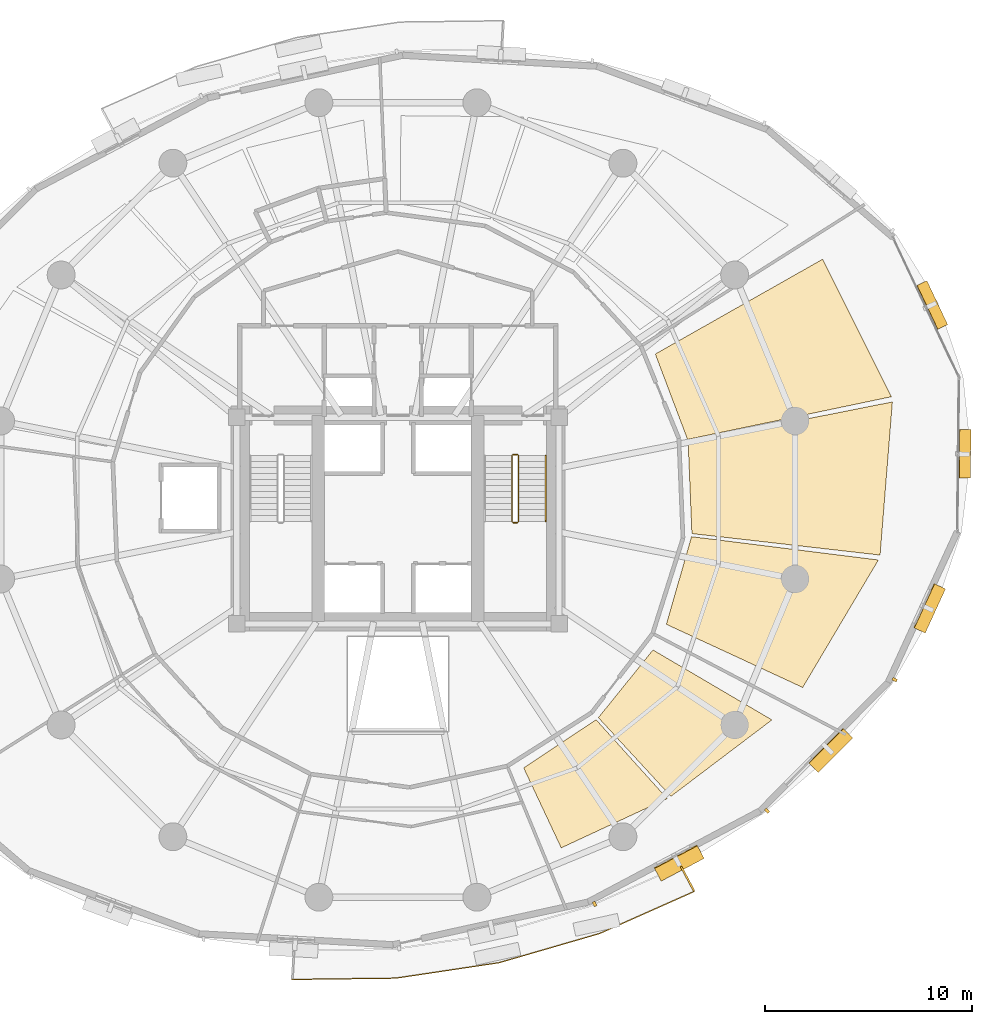
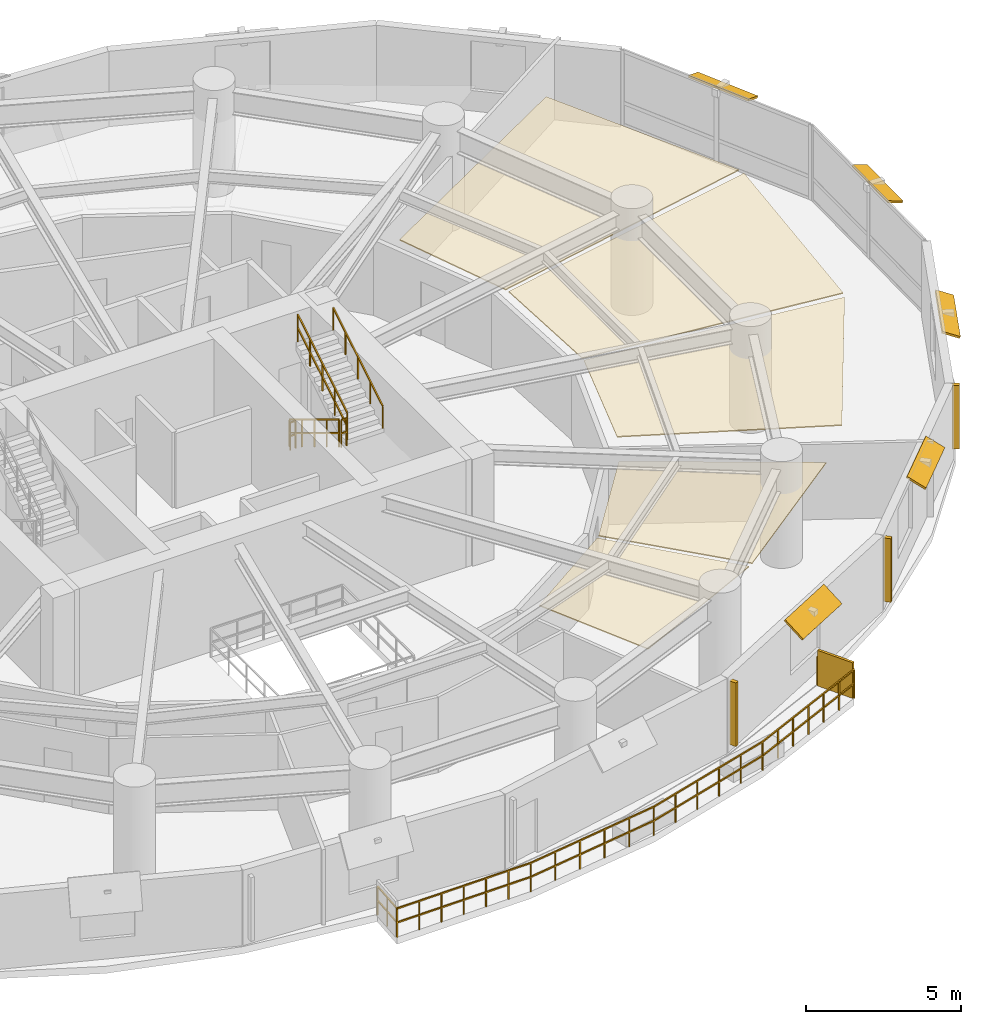
# One storey, part 16 of 17: 9 shading devices, 6 railings, 5 coverings.
"""IFC4 building model written with IfcOpenShell, lengths in metres."""

from ifc_helpers import new_model, si_unit, direction, frame, origin, origin_2d, place, context, subcontext, project, spatial, polyline, rectangle, outline, extrude, material, layer, layer_set, type_object, element, save


model = new_model("IFC4")

# Units and contexts
model_context = context("Model", 3, precision=1e-05, world=origin(), true_north=direction((0.0, 1.0)))
body_context = subcontext(model_context, "Body", "Model", "MODEL_VIEW")
ifc_project = project(units=[si_unit("LENGTHUNIT", "METRE"), si_unit("AREAUNIT", "SQUARE_METRE"), si_unit("VOLUMEUNIT", "CUBIC_METRE"), si_unit("PLANEANGLEUNIT", "RADIAN"), si_unit("MASSUNIT", "GRAM", prefix="KILO"), si_unit("THERMODYNAMICTEMPERATUREUNIT", "KELVIN"), si_unit("POWERUNIT", "WATT")], contexts=[model_context])

# Site, building, storey
site_placement = place(None, origin())
site = spatial("IfcSite", under=ifc_project, at=site_placement, CompositionType="ELEMENT")
building_placement = place(site_placement, origin())
building = spatial("IfcBuilding", under=site, at=building_placement, Name="Ocrelia Relay Tower", CompositionType="ELEMENT")
storey_placement = place(building_placement, frame((0.0, 0.0, 84.60009765625)))
storey = spatial("IfcBuildingStorey", under=building, at=storey_placement, Name="L19", CompositionType="ELEMENT", Elevation=84.60009765625)

# Coverings
ifc_material_1 = material(Name="Mineral-fiber acoustic ceiling tile", Category="gypsum")
ifc_layer_1 = layer(ifc_material_1, 0.0400390625, Name="Mineral-fiber acoustic ceiling tile")
ifc_layer_set_1 = layer_set([ifc_layer_1], Name="Mineral-fiber acoustic ceiling tile")
covering_type_1 = type_object("IfcCoveringType", Name="COV-CEIL-ACOUSTIC", PredefinedType="CEILING", material=ifc_layer_set_1)
covering_1_placement = place(storey_placement, frame((0.0, 0.0, 2.8798828125)))
element("IfcCovering", 1, at=covering_1_placement, inside=storey, type_object=covering_type_1, Name="L19 Staff Wellness Room Suspended Ceiling 1", PredefinedType="CEILING", context=body_context, shape_type="SweptSolid", body=[
    extrude(outline(polyline([(46.994140625, 19.982177734375), (53.5908203125, 16.927001953125), (57.25244140625, 23.096923828125), (48.209716796875, 24.225830078125), (46.994140625, 19.982177734375)])), origin(), (0.0, 0.0, 1.0), 0.0400390625),
])
covering_2_placement = place(storey_placement, frame((0.0, 0.0, 2.8798828125)))
element("IfcCovering", 2, at=covering_2_placement, inside=storey, type_object=covering_type_1, Name="L19 Staff Wellness Room Suspended Ceiling 2", PredefinedType="CEILING", context=body_context, shape_type="SweptSolid", body=[
    extrude(outline(polyline([(48.2275390625, 24.374755859375), (57.334716796875, 23.33447265625), (57.930419921875, 30.74560546875), (48.04638671875, 28.785400390625), (48.2275390625, 24.374755859375)])), origin(), (0.0, 0.0, 1.0), 0.0400390625),
])
covering_3_placement = place(storey_placement, frame((0.0, 0.0, 2.8798828125)))
element("IfcCovering", 3, at=covering_3_placement, inside=storey, type_object=covering_type_1, Name="L19 Staff Wellness Room Suspended Ceiling 3", PredefinedType="CEILING", context=body_context, shape_type="SweptSolid", body=[
    extrude(outline(polyline([(48.0166015625, 28.9326171875), (57.882080078125, 30.99658203125), (54.555419921875, 37.6533203125), (46.457275390625, 33.0625), (48.0166015625, 28.9326171875)])), origin(), (0.0, 0.0, 1.0), 0.0400390625),
])
ifc_material_2 = material(Name="Cleanroom metal-pan acoustic ceiling", Category="aluminium")
ifc_layer_2 = layer(ifc_material_2, 0.0400390625, Name="Cleanroom metal-pan acoustic ceiling")
ifc_layer_set_2 = layer_set([ifc_layer_2], Name="Cleanroom metal-pan acoustic ceiling")
covering_type_2 = type_object("IfcCoveringType", Name="COV-CEIL-CLEAN", PredefinedType="CEILING", material=ifc_layer_set_2)
covering_4_placement = place(storey_placement, frame((0.0, 0.0, 2.8798828125)))
element("IfcCovering", 4, at=covering_4_placement, inside=storey, type_object=covering_type_2, Name="L19 Colocation Data Hall A Suspended Ceiling 1", PredefinedType="CEILING", context=body_context, shape_type="SweptSolid", body=[
    extrude(outline(polyline([(40.085693359375, 13.03759765625), (41.90380859375, 9.165283203125), (47.033203125, 11.550537109375), (43.59130859375, 15.366455078125), (40.085693359375, 13.03759765625)])), origin(), (0.0, 0.0, 1.0), 0.0400390625),
])
covering_5_placement = place(storey_placement, frame((0.0, 0.0, 2.8798828125)))
element("IfcCovering", 5, at=covering_5_placement, inside=storey, type_object=covering_type_2, Name="L19 Colocation Data Hall A Suspended Ceiling 2", PredefinedType="CEILING", context=body_context, shape_type="SweptSolid", body=[
    extrude(outline(polyline([(43.7021484375, 15.467529296875), (47.212890625, 11.656494140625), (52.1025390625, 15.35791015625), (46.344970703125, 18.742919921875), (43.7021484375, 15.467529296875)])), origin(), (0.0, 0.0, 1.0), 0.0400390625),
])

# Railings
ifc_material_3 = material(Name="Steel S355 balustrade", Category="steel")
railing_type_1 = type_object("IfcRailingType", Name="RL-EXT-GUARD-1150", PredefinedType="GUARDRAIL", material=ifc_material_3)
railing_1_placement = place(storey_placement, frame((47.690185546875, 8.285888671875, 0.0)))
element("IfcRailing", 6, at=railing_1_placement, inside=storey, type_object=railing_type_1, Name="L19 Loggia Balcony Guard Rail B2", PredefinedType="GUARDRAIL", context=body_context, shape_type="SweptSolid", body=[
    extrude(rectangle(XDim=0.048095703125, YDim=0.048095703125, at=origin_2d()), frame((0.0, 0.0, 1.1259765625), z_axis=(0.46970594774, -0.882822928258, 0.0), x_axis=(0.882822928258, 0.46970594774, 0.0)), (0.0, 0.0, 1.0), 1.3935546875),
    extrude(rectangle(XDim=0.048095703125, YDim=0.048095703125, at=origin_2d()), frame((0.0, 0.0, 0.574951171875), z_axis=(0.46970594774, -0.882822928258, 0.0), x_axis=(0.882822928258, 0.46970594774, 0.0)), (0.0, 0.0, 1.0), 1.3935546875),
    extrude(rectangle(XDim=0.048095703125, YDim=0.048095703125, at=origin_2d()), frame((0.654541015625, -1.230224609375, 1.1259765625), z_axis=(-0.913690938827, -0.40640972959, 0.0), x_axis=(0.40640972959, -0.913690938827, 0.0)), (0.0, 0.0, 1.0), 2.505126953125),
    extrude(rectangle(XDim=0.048095703125, YDim=0.048095703125, at=origin_2d()), frame((0.654541015625, -1.230224609375, 0.574951171875), z_axis=(-0.913690938827, -0.40640972959, 0.0), x_axis=(0.40640972959, -0.913690938827, 0.0)), (0.0, 0.0, 1.0), 2.505126953125),
    extrude(rectangle(XDim=0.048095703125, YDim=0.048095703125, at=origin_2d()), frame((-1.63427734375, -2.248291015625, 1.1259765625), z_axis=(-0.913727126877, -0.406328361808, 0.0), x_axis=(0.406328361808, -0.913727126877, 0.0)), (0.0, 0.0, 1.0), 2.5048828125),
    extrude(rectangle(XDim=0.048095703125, YDim=0.048095703125, at=origin_2d()), frame((-1.63427734375, -2.248291015625, 0.574951171875), z_axis=(-0.913727126877, -0.406328361808, 0.0), x_axis=(0.406328361808, -0.913727126877, 0.0)), (0.0, 0.0, 1.0), 2.5048828125),
    extrude(rectangle(XDim=0.048095703125, YDim=0.048095703125, at=origin_2d()), frame((-3.923095703125, -3.26611328125, 1.1259765625), z_axis=(-0.960325408585, -0.278881891893, 0.0), x_axis=(0.278881891893, -0.960325408585, 0.0)), (0.0, 0.0, 1.0), 5.065185546875),
    extrude(rectangle(XDim=0.048095703125, YDim=0.048095703125, at=origin_2d()), frame((-3.923095703125, -3.26611328125, 0.574951171875), z_axis=(-0.960325408585, -0.278881891893, 0.0), x_axis=(0.278881891893, -0.960325408585, 0.0)), (0.0, 0.0, 1.0), 5.065185546875),
    extrude(rectangle(XDim=0.048095703125, YDim=0.048095703125, at=origin_2d()), frame((-8.787353515625, -4.6787109375, 1.1259765625), z_axis=(-0.988997786574, -0.147930315186, 0.0), x_axis=(0.147930315186, -0.988997786574, 0.0)), (0.0, 0.0, 1.0), 5.06494140625),
    extrude(rectangle(XDim=0.048095703125, YDim=0.048095703125, at=origin_2d()), frame((-8.787353515625, -4.6787109375, 0.574951171875), z_axis=(-0.988997786574, -0.147930315186, 0.0), x_axis=(0.147930315186, -0.988997786574, 0.0)), (0.0, 0.0, 1.0), 5.06494140625),
    extrude(rectangle(XDim=0.048095703125, YDim=0.048095703125, at=origin_2d()), frame((-13.796630859375, -5.427978515625, 1.1259765625), z_axis=(-0.999920967956, -0.012572105737, 0.0), x_axis=(0.012572105737, -0.999920967956, 0.0)), (0.0, 0.0, 1.0), 2.505126953125),
    extrude(rectangle(XDim=0.048095703125, YDim=0.048095703125, at=origin_2d()), frame((-13.796630859375, -5.427978515625, 0.574951171875), z_axis=(-0.999920967956, -0.012572105737, 0.0), x_axis=(0.012572105737, -0.999920967956, 0.0)), (0.0, 0.0, 1.0), 2.505126953125),
    extrude(rectangle(XDim=0.048095703125, YDim=0.048095703125, at=origin_2d()), frame((-16.301513671875, -5.45947265625, 1.1259765625), z_axis=(-0.999919738051, -0.012669548338, 0.0), x_axis=(0.012669548338, -0.999919738051, 0.0)), (0.0, 0.0, 1.0), 2.505126953125),
    extrude(rectangle(XDim=0.048095703125, YDim=0.048095703125, at=origin_2d()), frame((-16.301513671875, -5.45947265625, 0.574951171875), z_axis=(-0.999919738051, -0.012669548338, 0.0), x_axis=(0.012669548338, -0.999919738051, 0.0)), (0.0, 0.0, 1.0), 2.505126953125),
    extrude(rectangle(XDim=0.048095703125, YDim=0.048095703125, at=origin_2d()), frame((-18.806396484375, -5.4912109375, 1.1259765625), z_axis=(0.057992791786, 0.998317001809, 0.0), x_axis=(-0.998317001809, 0.057992791786, 0.0)), (0.0, 0.0, 1.0), 1.3935546875),
    extrude(rectangle(XDim=0.048095703125, YDim=0.048095703125, at=origin_2d()), frame((-18.806396484375, -5.4912109375, 0.574951171875), z_axis=(0.057992791786, 0.998317001809, 0.0), x_axis=(-0.998317001809, 0.057992791786, 0.0)), (0.0, 0.0, 1.0), 1.3935546875),
    extrude(rectangle(XDim=0.0419921875, YDim=0.0419921875, at=origin_2d()), origin(), (0.0, 0.0, 1.0), 1.101806640625),
    extrude(rectangle(XDim=0.0419921875, YDim=0.0419921875, at=origin_2d()), frame((0.3271484375, -0.615234375, 0.0)), (0.0, 0.0, 1.0), 1.101806640625),
    extrude(rectangle(XDim=0.0419921875, YDim=0.0419921875, at=origin_2d()), frame((0.654541015625, -1.230224609375, 0.0)), (0.0, 0.0, 1.0), 1.101806640625),
    extrude(rectangle(XDim=0.0419921875, YDim=0.0419921875, at=origin_2d()), frame((-0.1083984375, -1.569580078125, 0.0)), (0.0, 0.0, 1.0), 1.101806640625),
    extrude(rectangle(XDim=0.0419921875, YDim=0.0419921875, at=origin_2d()), frame((-0.871337890625, -1.908935546875, 0.0)), (0.0, 0.0, 1.0), 1.101806640625),
    extrude(rectangle(XDim=0.0419921875, YDim=0.0419921875, at=origin_2d()), frame((-1.63427734375, -2.248291015625, 0.0)), (0.0, 0.0, 1.0), 1.101806640625),
    extrude(rectangle(XDim=0.0419921875, YDim=0.0419921875, at=origin_2d()), frame((-2.397216796875, -2.587646484375, 0.0)), (0.0, 0.0, 1.0), 1.101806640625),
    extrude(rectangle(XDim=0.0419921875, YDim=0.0419921875, at=origin_2d()), frame((-3.16015625, -2.9267578125, 0.0)), (0.0, 0.0, 1.0), 1.101806640625),
    extrude(rectangle(XDim=0.0419921875, YDim=0.0419921875, at=origin_2d()), frame((-3.923095703125, -3.26611328125, 0.0)), (0.0, 0.0, 1.0), 1.101806640625),
    extrude(rectangle(XDim=0.0419921875, YDim=0.0419921875, at=origin_2d()), frame((-4.89599609375, -3.548583984375, 0.0)), (0.0, 0.0, 1.0), 1.101806640625),
    extrude(rectangle(XDim=0.0419921875, YDim=0.0419921875, at=origin_2d()), frame((-5.868896484375, -3.8310546875, 0.0)), (0.0, 0.0, 1.0), 1.101806640625),
    extrude(rectangle(XDim=0.0419921875, YDim=0.0419921875, at=origin_2d()), frame((-6.841552734375, -4.11376953125, 0.0)), (0.0, 0.0, 1.0), 1.101806640625),
    extrude(rectangle(XDim=0.0419921875, YDim=0.0419921875, at=origin_2d()), frame((-7.814453125, -4.396240234375, 0.0)), (0.0, 0.0, 1.0), 1.101806640625),
    extrude(rectangle(XDim=0.0419921875, YDim=0.0419921875, at=origin_2d()), frame((-8.787353515625, -4.6787109375, 0.0)), (0.0, 0.0, 1.0), 1.101806640625),
    extrude(rectangle(XDim=0.0419921875, YDim=0.0419921875, at=origin_2d()), frame((-9.789306640625, -4.82861328125, 0.0)), (0.0, 0.0, 1.0), 1.101806640625),
    extrude(rectangle(XDim=0.0419921875, YDim=0.0419921875, at=origin_2d()), frame((-10.791015625, -4.978515625, 0.0)), (0.0, 0.0, 1.0), 1.101806640625),
    extrude(rectangle(XDim=0.0419921875, YDim=0.0419921875, at=origin_2d()), frame((-11.79296875, -5.128173828125, 0.0)), (0.0, 0.0, 1.0), 1.101806640625),
    extrude(rectangle(XDim=0.0419921875, YDim=0.0419921875, at=origin_2d()), frame((-12.794677734375, -5.278076171875, 0.0)), (0.0, 0.0, 1.0), 1.101806640625),
    extrude(rectangle(XDim=0.0419921875, YDim=0.0419921875, at=origin_2d()), frame((-13.796630859375, -5.427978515625, 0.0)), (0.0, 0.0, 1.0), 1.101806640625),
    extrude(rectangle(XDim=0.0419921875, YDim=0.0419921875, at=origin_2d()), frame((-14.631591796875, -5.4384765625, 0.0)), (0.0, 0.0, 1.0), 1.101806640625),
    extrude(rectangle(XDim=0.0419921875, YDim=0.0419921875, at=origin_2d()), frame((-15.466552734375, -5.448974609375, 0.0)), (0.0, 0.0, 1.0), 1.101806640625),
    extrude(rectangle(XDim=0.0419921875, YDim=0.0419921875, at=origin_2d()), frame((-16.301513671875, -5.45947265625, 0.0)), (0.0, 0.0, 1.0), 1.101806640625),
    extrude(rectangle(XDim=0.0419921875, YDim=0.0419921875, at=origin_2d()), frame((-17.136474609375, -5.469970703125, 0.0)), (0.0, 0.0, 1.0), 1.101806640625),
    extrude(rectangle(XDim=0.0419921875, YDim=0.0419921875, at=origin_2d()), frame((-17.971435546875, -5.480712890625, 0.0)), (0.0, 0.0, 1.0), 1.101806640625),
    extrude(rectangle(XDim=0.0419921875, YDim=0.0419921875, at=origin_2d()), frame((-18.806396484375, -5.4912109375, 0.0)), (0.0, 0.0, 1.0), 1.101806640625),
    extrude(rectangle(XDim=0.0419921875, YDim=0.0419921875, at=origin_2d()), frame((-18.76611328125, -4.795654296875, 0.0)), (0.0, 0.0, 1.0), 1.101806640625),
    extrude(rectangle(XDim=0.0419921875, YDim=0.0419921875, at=origin_2d()), frame((-18.7255859375, -4.10009765625, 0.0)), (0.0, 0.0, 1.0), 1.101806640625),
])
railing_type_2 = type_object("IfcRailingType", Name="RL-STAIR-GUARD", PredefinedType="GUARDRAIL", material=ifc_material_3)
railing_2_placement = place(storey_placement, frame((39.530029296875, 28.14990234375, 0.1748046875)))
element("IfcRailing", 7, at=railing_2_placement, inside=storey, type_object=railing_type_2, Name="L19 ST2 stair guard 1", PredefinedType="GUARDRAIL", context=body_context, shape_type="SweptSolid", body=[
    extrude(rectangle(XDim=0.048095703125, YDim=0.048095703125, at=origin_2d()), frame((0.0, 0.0, 1.076171875), z_axis=(0.0, -0.856177665481, 0.516681531633), x_axis=(1.0, 0.0, 0.0)), (0.0, 0.0, 1.0), 3.725830078125),
    extrude(rectangle(XDim=0.048095703125, YDim=0.048095703125, at=origin_2d()), frame((0.0, 0.0, 0.550048828125), z_axis=(0.0, -0.856177665481, 0.516681531633), x_axis=(1.0, 0.0, 0.0)), (0.0, 0.0, 1.0), 3.725830078125),
    extrude(rectangle(XDim=0.0419921875, YDim=0.0419921875, at=origin_2d()), origin(), (0.0, 0.0, 1.0), 1.052001953125),
    extrude(rectangle(XDim=0.0419921875, YDim=0.0419921875, at=origin_2d()), frame((0.0, -0.79736328125, 0.481201171875)), (0.0, 0.0, 1.0), 1.052001953125),
    extrude(rectangle(XDim=0.0419921875, YDim=0.0419921875, at=origin_2d()), frame((0.0, -1.594970703125, 0.96240234375)), (0.0, 0.0, 1.0), 1.052001953125),
    extrude(rectangle(XDim=0.0419921875, YDim=0.0419921875, at=origin_2d()), frame((0.0, -2.392578125, 1.44384765625)), (0.0, 0.0, 1.0), 1.052001953125),
    extrude(rectangle(XDim=0.0419921875, YDim=0.0419921875, at=origin_2d()), frame((0.0, -3.18994140625, 1.925048828125)), (0.0, 0.0, 1.0), 1.052001953125),
])
railing_3_placement = place(storey_placement, frame((39.580078125, 24.909912109375, 2.099853515625)))
element("IfcRailing", 8, at=railing_3_placement, inside=storey, type_object=railing_type_2, Name="L19 ST2 stair guard 2", PredefinedType="GUARDRAIL", context=body_context, shape_type="SweptSolid", body=[
    extrude(rectangle(XDim=0.048095703125, YDim=0.048095703125, at=origin_2d()), frame((0.0, 0.0, 1.076171875), z_axis=(1.0, 0.0, 0.0), x_axis=(0.0, 1.0, 0.0)), (0.0, 0.0, 1.0), 0.199951171875),
    extrude(rectangle(XDim=0.048095703125, YDim=0.048095703125, at=origin_2d()), frame((0.0, 0.0, 0.550048828125), z_axis=(1.0, 0.0, 0.0), x_axis=(0.0, 1.0, 0.0)), (0.0, 0.0, 1.0), 0.199951171875),
    extrude(rectangle(XDim=0.0419921875, YDim=0.0419921875, at=origin_2d()), origin(), (0.0, 0.0, 1.0), 1.052001953125),
    extrude(rectangle(XDim=0.0419921875, YDim=0.0419921875, at=origin_2d()), frame((0.199951171875, 0.0, 0.0)), (0.0, 0.0, 1.0), 1.052001953125),
])
railing_4_placement = place(storey_placement, frame((39.830078125, 24.9599609375, 2.27490234375)))
element("IfcRailing", 9, at=railing_4_placement, inside=storey, type_object=railing_type_2, Name="L19 ST2 stair guard 3", PredefinedType="GUARDRAIL", context=body_context, shape_type="SweptSolid", body=[
    extrude(rectangle(XDim=0.048095703125, YDim=0.048095703125, at=origin_2d()), frame((0.0, 0.0, 1.076171875), z_axis=(0.0, 0.856177665481, 0.516681531633), x_axis=(-1.0, 0.0, 0.0)), (0.0, 0.0, 1.0), 3.725830078125),
    extrude(rectangle(XDim=0.048095703125, YDim=0.048095703125, at=origin_2d()), frame((0.0, 0.0, 0.550048828125), z_axis=(0.0, 0.856177665481, 0.516681531633), x_axis=(-1.0, 0.0, 0.0)), (0.0, 0.0, 1.0), 3.725830078125),
    extrude(rectangle(XDim=0.0419921875, YDim=0.0419921875, at=origin_2d()), origin(), (0.0, 0.0, 1.0), 1.052001953125),
    extrude(rectangle(XDim=0.0419921875, YDim=0.0419921875, at=origin_2d()), frame((0.0, 0.79736328125, 0.481201171875)), (0.0, 0.0, 1.0), 1.052001953125),
    extrude(rectangle(XDim=0.0419921875, YDim=0.0419921875, at=origin_2d()), frame((0.0, 1.594970703125, 0.96240234375)), (0.0, 0.0, 1.0), 1.052001953125),
    extrude(rectangle(XDim=0.0419921875, YDim=0.0419921875, at=origin_2d()), frame((0.0, 2.392578125, 1.44384765625)), (0.0, 0.0, 1.0), 1.052001953125),
    extrude(rectangle(XDim=0.0419921875, YDim=0.0419921875, at=origin_2d()), frame((0.0, 3.18994140625, 1.925048828125)), (0.0, 0.0, 1.0), 1.052001953125),
])
railing_5_placement = place(storey_placement, frame((39.580078125, 28.199951171875, 0.0)))
element("IfcRailing", 10, at=railing_5_placement, inside=storey, type_object=railing_type_2, Name="L19 ST2 stair guard 4", PredefinedType="GUARDRAIL", context=body_context, shape_type="SweptSolid", body=[
    extrude(rectangle(XDim=0.048095703125, YDim=0.048095703125, at=origin_2d()), frame((0.0, 0.0, 1.076171875), z_axis=(1.0, 0.0, 0.0), x_axis=(0.0, 1.0, 0.0)), (0.0, 0.0, 1.0), 0.199951171875),
    extrude(rectangle(XDim=0.048095703125, YDim=0.048095703125, at=origin_2d()), frame((0.0, 0.0, 0.550048828125), z_axis=(1.0, 0.0, 0.0), x_axis=(0.0, 1.0, 0.0)), (0.0, 0.0, 1.0), 0.199951171875),
    extrude(rectangle(XDim=0.0419921875, YDim=0.0419921875, at=origin_2d()), origin(), (0.0, 0.0, 1.0), 1.052001953125),
    extrude(rectangle(XDim=0.0419921875, YDim=0.0419921875, at=origin_2d()), frame((0.199951171875, 0.0, 0.0)), (0.0, 0.0, 1.0), 1.052001953125),
])
ifc_material_4 = material(Name="Steel S355 tubular handrail", Category="steel")
railing_type_3 = type_object("IfcRailingType", Name="RL-STAIR-HAND", PredefinedType="HANDRAIL", material=ifc_material_4)
railing_6_placement = place(storey_placement, frame((41.14990234375, 24.9599609375, 2.27490234375)))
element("IfcRailing", 11, at=railing_6_placement, inside=storey, type_object=railing_type_3, Name="L19 ST2 stair handrail 2", PredefinedType="HANDRAIL", context=body_context, shape_type="SweptSolid", body=[
    extrude(rectangle(XDim=0.048095703125, YDim=0.048095703125, at=origin_2d()), frame((0.0, 0.0, 0.8759765625), z_axis=(0.0, 0.856177665481, 0.516681531633), x_axis=(-1.0, 0.0, 0.0)), (0.0, 0.0, 1.0), 3.725830078125),
    extrude(rectangle(XDim=0.0419921875, YDim=0.0419921875, at=origin_2d()), origin(), (0.0, 0.0, 1.0), 0.851806640625),
    extrude(rectangle(XDim=0.0419921875, YDim=0.0419921875, at=origin_2d()), frame((0.0, 0.79736328125, 0.481201171875)), (0.0, 0.0, 1.0), 0.851806640625),
    extrude(rectangle(XDim=0.0419921875, YDim=0.0419921875, at=origin_2d()), frame((0.0, 1.594970703125, 0.96240234375)), (0.0, 0.0, 1.0), 0.851806640625),
    extrude(rectangle(XDim=0.0419921875, YDim=0.0419921875, at=origin_2d()), frame((0.0, 2.392578125, 1.44384765625)), (0.0, 0.0, 1.0), 0.851806640625),
    extrude(rectangle(XDim=0.0419921875, YDim=0.0419921875, at=origin_2d()), frame((0.0, 3.18994140625, 1.925048828125)), (0.0, 0.0, 1.0), 0.851806640625),
])

# Shading devices
ifc_material_5 = material(Name="Perforated oxide terracotta solar screen", Category="masonry")
ifc_layer_3 = layer(ifc_material_5, 0.090087890625, Name="Perforated oxide terracotta solar screen")
ifc_layer_set_3 = layer_set([ifc_layer_3], Name="Perforated oxide terracotta solar screen")
shading_device_type_1 = type_object("IfcShadingDeviceType", Name="SH-BALC-SCREEN", PredefinedType="USERDEFINED", material=ifc_layer_set_3)
shading_device_1_placement = place(storey_placement, frame((48.017333984375, 7.670654296875, 0.0), z_axis=(0.0, 0.0, 1.0), x_axis=(0.469720089385, -0.88281540405, 0.0)))
element("IfcShadingDevice", 12, at=shading_device_1_placement, inside=storey, type_object=shading_device_type_1, Name="L19 Balcony Perforated Terracotta Screen B2-2", ObjectType="SCREEN", PredefinedType="USERDEFINED", context=body_context, shape_type="SweptSolid", body=[
    extrude(rectangle(XDim=1.340087890625, YDim=0.090087890625, at=origin_2d()), origin(), (0.0, 0.0, 1.0), 1.39990234375),
])
ifc_material_6 = material(Name="Extruded oxide terracotta vertical baguette", Category="masonry")
shading_device_type_2 = type_object("IfcShadingDeviceType", Name="SH-TERR-BAGUETTE", PredefinedType="USERDEFINED", material=ifc_material_6)
for number, where, z_axis, x_axis, name in (
    (13, (43.52197265625, 6.45068359375, 0.22998046875), (0.0, 0.0, 1.0), (0.883502381406, 0.468426666672, 0.0), "L19 Oxide Terracotta Vertical Baguette 15"),
    (14, (51.85595703125, 10.961181640625, 0.22998046875), (0.0, 0.0, 1.0), (0.70603120564, 0.708180723165, 0.0), "L19 Oxide Terracotta Vertical Baguette 16"),
    (15, (58.040771484375, 17.302490234375, 0.22998046875), (0.0, 0.0, 1.0), (0.417064182171, 0.90887703676, 0.0), "L19 Oxide Terracotta Vertical Baguette 17"),
):
    element("IfcShadingDevice", number, at=place(storey_placement, frame(where, z_axis=z_axis, x_axis=x_axis)), inside=storey, type_object=shading_device_type_2, Name=name, ObjectType="BAGUETTE", PredefinedType="USERDEFINED", context=body_context, shape_type="SweptSolid", body=[
        extrude(rectangle(XDim=0.139892578125, YDim=0.239990234375, at=origin_2d()), origin(), (0.0, 0.0, 1.0), 2.5),
    ])
ifc_material_7 = material(Name="Extruded oxide terracotta fin", Category="masonry")
ifc_layer_4 = layer(ifc_material_7, 0.080078125, Name="Extruded oxide terracotta fin")
ifc_layer_set_4 = layer_set([ifc_layer_4], Name="Extruded oxide terracotta fin")
shading_device_type_3 = type_object("IfcShadingDeviceType", Name="SH-VISOR-FIN-MED", PredefinedType="USERDEFINED", material=ifc_layer_set_4)
shading_device_2_placement = place(storey_placement, frame((47.597412109375, 8.451416015625, 2.767822265625), z_axis=(0.279943555517, -0.528003240541, 0.801775644244), x_axis=(0.883502381406, 0.468426666672, 0.0)))
element("IfcShadingDevice", 16, at=shading_device_2_placement, inside=storey, type_object=shading_device_type_3, Name="L19 Canted Terracotta Sun-Visor Fin 15", ObjectType="FIN", PredefinedType="USERDEFINED", context=body_context, shape_type="SweptSolid", body=[
    extrude(rectangle(XDim=2.35009765625, YDim=0.862060546875, at=origin_2d()), origin(), (0.0, 0.0, 1.0), 0.080078125),
])
ifc_layer_5 = layer(ifc_material_7, 0.080078125, Name="Extruded oxide terracotta fin")
ifc_layer_set_5 = layer_set([ifc_layer_5], Name="Extruded oxide terracotta fin")
shading_device_type_4 = type_object("IfcShadingDeviceType", Name="SH-VISOR-FIN-SHAL", PredefinedType="USERDEFINED", material=ifc_layer_set_5)
shading_device_3_placement = place(storey_placement, frame((59.8427734375, 35.42724609375, 2.76171875), z_axis=(0.280703790497, 0.13274852307, 0.950569940416), x_axis=(-0.42751697878, 0.904007319027, 0.0)))
element("IfcShadingDevice", 17, at=shading_device_3_placement, inside=storey, type_object=shading_device_type_4, Name="L19 Canted Terracotta Sun-Visor Fin 01", ObjectType="FIN", PredefinedType="USERDEFINED", context=body_context, shape_type="SweptSolid", body=[
    extrude(rectangle(XDim=2.35009765625, YDim=0.551025390625, at=origin_2d()), origin(), (0.0, 0.0, 1.0), 0.080078125),
])
shading_device_4_placement = place(storey_placement, frame((54.927490234375, 13.899169921875, 2.7646484375), z_axis=(0.335195864195, -0.334178455276, 0.880890738205), x_axis=(0.70603120564, 0.708180723165, 0.0)))
element("IfcShadingDevice", 18, at=shading_device_4_placement, inside=storey, type_object=shading_device_type_4, Name="L19 Canted Terracotta Sun-Visor Fin 16", ObjectType="FIN", PredefinedType="USERDEFINED", context=body_context, shape_type="SweptSolid", body=[
    extrude(rectangle(XDim=2.35009765625, YDim=0.720947265625, at=origin_2d()), origin(), (0.0, 0.0, 1.0), 0.080078125),
])
shading_device_5_placement = place(storey_placement, frame((59.719482421875, 20.764892578125, 2.762939453125), z_axis=(0.350887476138, -0.161014738354, 0.922470722095), x_axis=(0.417064182171, 0.90887703676, 0.0)))
element("IfcShadingDevice", 19, at=shading_device_5_placement, inside=storey, type_object=shading_device_type_4, Name="L19 Canted Terracotta Sun-Visor Fin 17", ObjectType="FIN", PredefinedType="USERDEFINED", context=body_context, shape_type="SweptSolid", body=[
    extrude(rectangle(XDim=2.35009765625, YDim=0.62890625, at=origin_2d()), origin(), (0.0, 0.0, 1.0), 0.080078125),
])
shading_device_6_placement = place(storey_placement, frame((61.42333984375, 28.23486328125, 2.761962890625), z_axis=(0.3337879344, -0.003554450778, 0.942641491092), x_axis=(0.010648225703, 0.999943306038, 0.0)))
element("IfcShadingDevice", 20, at=shading_device_6_placement, inside=storey, type_object=shading_device_type_4, Name="L19 Canted Terracotta Sun-Visor Fin 18", ObjectType="FIN", PredefinedType="USERDEFINED", context=body_context, shape_type="SweptSolid", body=[
    extrude(rectangle(XDim=2.35009765625, YDim=0.574951171875, at=origin_2d()), origin(), (0.0, 0.0, 1.0), 0.080078125),
])

save(model, "model.ifc")
